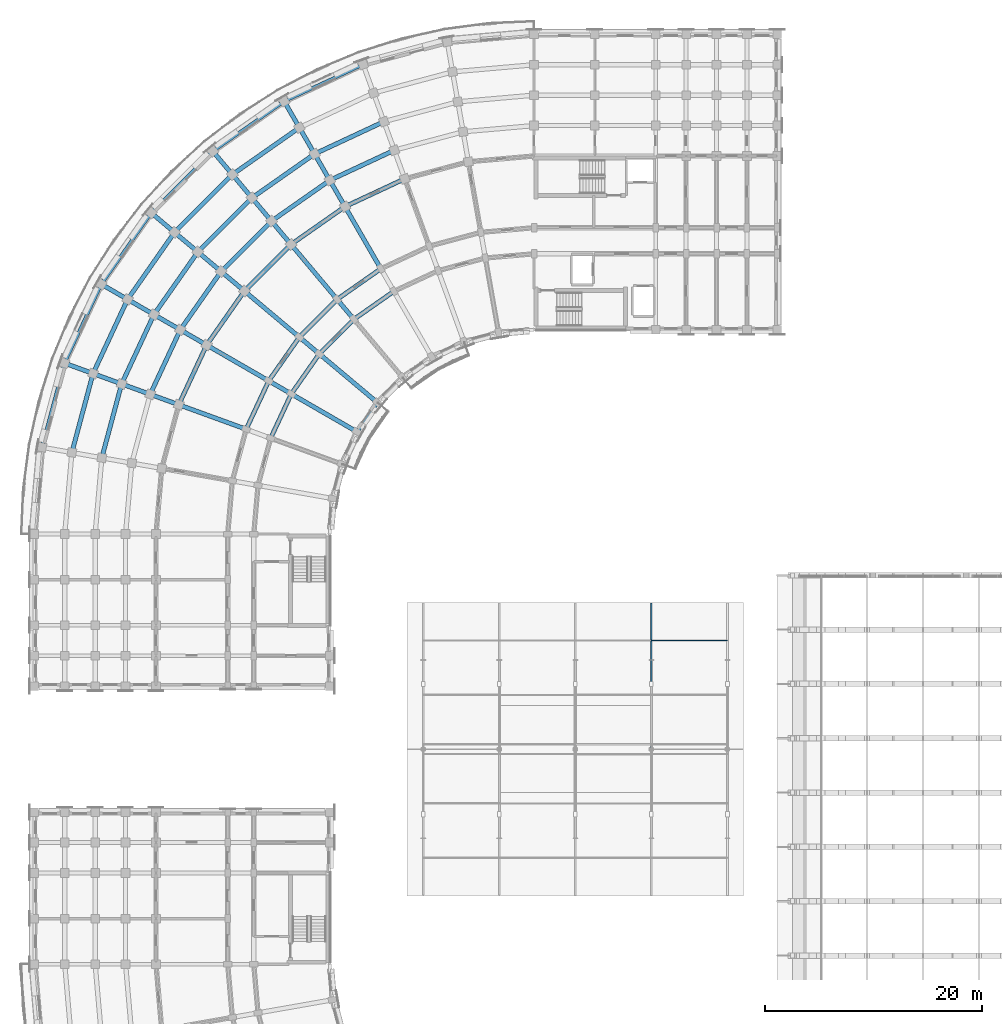
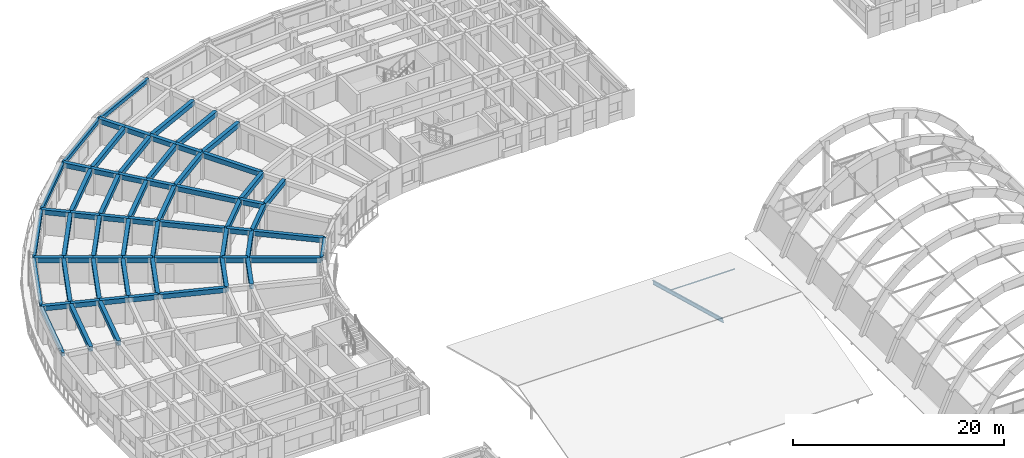
# One storey, part 18 of 76: 67 beams, 1 member.
"""IFC4 building model written with IfcOpenShell, lengths in metres."""

from ifc_helpers import new_model, si_unit, direction, frame, origin, origin_2d, place, context, subcontext, project, spatial, rectangle, hollow_rectangle, i_section, extrude, material, material_profile, profile_set, type_object, element, save


model = new_model("IFC4")

# Units and contexts
model_context = context("Model", 3, precision=1e-05, world=origin(), true_north=direction((0.0, 1.0)))
body_context = subcontext(model_context, "Body", "Model", "MODEL_VIEW")
ifc_project = project(units=[si_unit("LENGTHUNIT", "METRE"), si_unit("AREAUNIT", "SQUARE_METRE"), si_unit("VOLUMEUNIT", "CUBIC_METRE"), si_unit("PLANEANGLEUNIT", "RADIAN"), si_unit("MASSUNIT", "GRAM", prefix="KILO")], contexts=[model_context])

# Site, building, storey
site_placement = place(None, origin())
site = spatial("IfcSite", under=ifc_project, at=site_placement, CompositionType="ELEMENT")
building_placement = place(site_placement, origin())
building = spatial("IfcBuilding", under=site, at=building_placement, Name="Kiranvali Square Residences", CompositionType="ELEMENT")
storey_placement = place(building_placement, frame((0.0, 0.0, 8.699951171875)))
storey = spatial("IfcBuildingStorey", under=building, at=storey_placement, Name="L02", CompositionType="ELEMENT", Elevation=8.699951171875)

# Beams
ifc_material_1 = material(Name="Concrete M45 (45 MPa)", Category="concrete")
ifc_material_profile_1 = material_profile(ifc_material_1, rectangle(XDim=0.39990234375, YDim=0.550048828125, at=origin_2d()), Name="RC 400x550")
ifc_profile_set_1 = profile_set([ifc_material_profile_1], Name="Concrete M45 (45 MPa)")
beam_type_1 = type_object("IfcBeamType", Name="BM-M45-400x550", PredefinedType="BEAM", material=ifc_profile_set_1)
beam_1_placement = place(storey_placement, frame((36.297607421875, 120.501220703125, 2.655029296875), z_axis=(-0.906312656069, -0.42260781991, 0.0), x_axis=(0.42260781991, -0.906312656069, 0.0)))
element("IfcBeam", 1, at=beam_1_placement, inside=storey, type_object=beam_type_1, Name="L02 beam BM-A-L02-C02-R3", PredefinedType="BEAM", context=body_context, shape_type="SweptSolid", body=[
    extrude(rectangle(XDim=0.39990234375, YDim=0.550048828125, at=origin_2d()), origin(), (0.0, 0.0, 1.0), 6.06591796875),
])
beam_2_placement = place(storey_placement, frame((35.340087890625, 123.13232421875, 2.655029296875), z_axis=(-0.906318225223, -0.422595876255, 0.0), x_axis=(0.422595876255, -0.906318225223, 0.0)))
element("IfcBeam", 2, at=beam_2_placement, inside=storey, type_object=beam_type_1, Name="L02 beam BM-A-L02-C02-R4", PredefinedType="BEAM", context=body_context, shape_type="SweptSolid", body=[
    extrude(rectangle(XDim=0.39990234375, YDim=0.550048828125, at=origin_2d()), origin(), (0.0, 0.0, 1.0), 6.55419921875),
])
beam_3_placement = place(storey_placement, frame((34.38232421875, 125.763671875, 2.655029296875), z_axis=(-0.906297360311, -0.422640621205, 0.0), x_axis=(0.422640621205, -0.906297360311, 0.0)))
element("IfcBeam", 3, at=beam_3_placement, inside=storey, type_object=beam_type_1, Name="L02 beam BM-A-L02-C02-R5", PredefinedType="BEAM", context=body_context, shape_type="SweptSolid", body=[
    extrude(rectangle(XDim=0.39990234375, YDim=0.550048828125, at=origin_2d()), origin(), (0.0, 0.0, 1.0), 7.042236328125),
])
beam_4_placement = place(storey_placement, frame((35.300048828125, 110.1435546875, 2.655029296875), z_axis=(-0.819155404658, -0.573571637217, 0.0), x_axis=(0.573571637217, -0.819155404658, 0.0)))
element("IfcBeam", 4, at=beam_4_placement, inside=storey, type_object=beam_type_1, Name="L02 beam BM-A-L02-C03-R1", PredefinedType="BEAM", context=body_context, shape_type="SweptSolid", body=[
    extrude(rectangle(XDim=0.39990234375, YDim=0.550048828125, at=origin_2d()), origin(), (0.0, 0.0, 1.0), 4.497314453125),
])
beam_5_placement = place(storey_placement, frame((34.10009765625, 112.221923828125, 2.655029296875), z_axis=(-0.819140911474, -0.573592335331, 0.0), x_axis=(0.573592335331, -0.819140911474, 0.0)))
element("IfcBeam", 5, at=beam_5_placement, inside=storey, type_object=beam_type_1, Name="L02 beam BM-A-L02-C03-R2", PredefinedType="BEAM", context=body_context, shape_type="SweptSolid", body=[
    extrude(rectangle(XDim=0.39990234375, YDim=0.550048828125, at=origin_2d()), origin(), (0.0, 0.0, 1.0), 4.915771484375),
])
beam_6_placement = place(storey_placement, frame((30.800048828125, 117.937744140625, 2.655029296875), z_axis=(-0.81913926159, -0.573594691504, 0.0), x_axis=(0.573594691504, -0.81913926159, 0.0)))
element("IfcBeam", 6, at=beam_6_placement, inside=storey, type_object=beam_type_1, Name="L02 beam BM-A-L02-C03-R3", PredefinedType="BEAM", context=body_context, shape_type="SweptSolid", body=[
    extrude(rectangle(XDim=0.39990234375, YDim=0.550048828125, at=origin_2d()), origin(), (0.0, 0.0, 1.0), 6.066162109375),
])
beam_7_placement = place(storey_placement, frame((29.39990234375, 120.362548828125, 2.655029296875), z_axis=(-0.819144409176, -0.573587340268, 0.0), x_axis=(0.573587340268, -0.819144409176, 0.0)))
element("IfcBeam", 7, at=beam_7_placement, inside=storey, type_object=beam_type_1, Name="L02 beam BM-A-L02-C03-R4", PredefinedType="BEAM", context=body_context, shape_type="SweptSolid", body=[
    extrude(rectangle(XDim=0.39990234375, YDim=0.550048828125, at=origin_2d()), origin(), (0.0, 0.0, 1.0), 6.553955078125),
])
beam_8_placement = place(storey_placement, frame((28.0, 122.787353515625, 2.655029296875), z_axis=(-0.819160249246, -0.57356471828, 0.0), x_axis=(0.57356471828, -0.819160249246, 0.0)))
element("IfcBeam", 8, at=beam_8_placement, inside=storey, type_object=beam_type_1, Name="L02 beam BM-A-L02-C03-R5", PredefinedType="BEAM", context=body_context, shape_type="SweptSolid", body=[
    extrude(rectangle(XDim=0.39990234375, YDim=0.550048828125, at=origin_2d()), origin(), (0.0, 0.0, 1.0), 7.0419921875),
])
beam_9_placement = place(storey_placement, frame((26.60009765625, 125.21240234375, 2.655029296875), z_axis=(-0.819143569597, -0.573588539275, 0.0), x_axis=(0.573588539275, -0.819143569597, 0.0)))
element("IfcBeam", 9, at=beam_9_placement, inside=storey, type_object=beam_type_1, Name="L02 beam BM-A-L02-C03-R6", PredefinedType="BEAM", context=body_context, shape_type="SweptSolid", body=[
    extrude(rectangle(XDim=0.39990234375, YDim=0.550048828125, at=origin_2d()), origin(), (0.0, 0.0, 1.0), 7.5302734375),
])
beam_10_placement = place(storey_placement, frame((31.615966796875, 107.56396484375, 2.655029296875), z_axis=(-0.707106781187, -0.707106781187, 0.0), x_axis=(0.707106781187, -0.707106781187, 0.0)))
element("IfcBeam", 10, at=beam_10_placement, inside=storey, type_object=beam_type_1, Name="L02 beam BM-A-L02-C04-R1", PredefinedType="BEAM", context=body_context, shape_type="SweptSolid", body=[
    extrude(rectangle(XDim=0.39990234375, YDim=0.550048828125, at=origin_2d()), origin(), (0.0, 0.0, 1.0), 4.4970703125),
])
beam_11_placement = place(storey_placement, frame((30.073486328125, 109.40234375, 2.655029296875), z_axis=(-0.707106781187, -0.707106781187, 0.0), x_axis=(0.707106781187, -0.707106781187, 0.0)))
element("IfcBeam", 11, at=beam_11_placement, inside=storey, type_object=beam_type_1, Name="L02 beam BM-A-L02-C04-R2", PredefinedType="BEAM", context=body_context, shape_type="SweptSolid", body=[
    extrude(rectangle(XDim=0.39990234375, YDim=0.550048828125, at=origin_2d()), origin(), (0.0, 0.0, 1.0), 4.91552734375),
])
beam_12_placement = place(storey_placement, frame((25.8310546875, 114.458251953125, 2.655029296875), z_axis=(-0.707106781187, -0.707106781187, 0.0), x_axis=(0.707106781187, -0.707106781187, 0.0)))
element("IfcBeam", 12, at=beam_12_placement, inside=storey, type_object=beam_type_1, Name="L02 beam BM-A-L02-C04-R3", PredefinedType="BEAM", context=body_context, shape_type="SweptSolid", body=[
    extrude(rectangle(XDim=0.39990234375, YDim=0.550048828125, at=origin_2d()), origin(), (0.0, 0.0, 1.0), 6.06591796875),
])
beam_13_placement = place(storey_placement, frame((24.03125, 116.603271484375, 2.655029296875), z_axis=(-0.707106781187, -0.707106781187, 0.0), x_axis=(0.707106781187, -0.707106781187, 0.0)))
element("IfcBeam", 13, at=beam_13_placement, inside=storey, type_object=beam_type_1, Name="L02 beam BM-A-L02-C04-R4", PredefinedType="BEAM", context=body_context, shape_type="SweptSolid", body=[
    extrude(rectangle(XDim=0.39990234375, YDim=0.550048828125, at=origin_2d()), origin(), (0.0, 0.0, 1.0), 6.55419921875),
])
beam_14_placement = place(storey_placement, frame((22.2314453125, 118.748291015625, 2.655029296875), z_axis=(-0.707106781187, -0.707106781187, 0.0), x_axis=(0.707106781187, -0.707106781187, 0.0)))
element("IfcBeam", 14, at=beam_14_placement, inside=storey, type_object=beam_type_1, Name="L02 beam BM-A-L02-C04-R5", PredefinedType="BEAM", context=body_context, shape_type="SweptSolid", body=[
    extrude(rectangle(XDim=0.39990234375, YDim=0.550048828125, at=origin_2d()), origin(), (0.0, 0.0, 1.0), 7.04248046875),
])
beam_15_placement = place(storey_placement, frame((20.431640625, 120.89306640625, 2.655029296875), z_axis=(-0.707106781187, -0.707106781187, 0.0), x_axis=(0.707106781187, -0.707106781187, 0.0)))
element("IfcBeam", 15, at=beam_15_placement, inside=storey, type_object=beam_type_1, Name="L02 beam BM-A-L02-C04-R6", PredefinedType="BEAM", context=body_context, shape_type="SweptSolid", body=[
    extrude(rectangle(XDim=0.39990234375, YDim=0.550048828125, at=origin_2d()), origin(), (0.0, 0.0, 1.0), 7.5302734375),
])
beam_16_placement = place(storey_placement, frame((28.43603515625, 104.384033203125, 2.655029296875), z_axis=(-0.573571637217, -0.819155404658, 0.0), x_axis=(0.819155404658, -0.573571637217, 0.0)))
element("IfcBeam", 16, at=beam_16_placement, inside=storey, type_object=beam_type_1, Name="L02 beam BM-A-L02-C05-R1", PredefinedType="BEAM", context=body_context, shape_type="SweptSolid", body=[
    extrude(rectangle(XDim=0.39990234375, YDim=0.550048828125, at=origin_2d()), origin(), (0.0, 0.0, 1.0), 4.497314453125),
])
beam_17_placement = place(storey_placement, frame((26.59765625, 105.926513671875, 2.655029296875), z_axis=(-0.573592335331, -0.819140911474, 0.0), x_axis=(0.819140911474, -0.573592335331, 0.0)))
element("IfcBeam", 17, at=beam_17_placement, inside=storey, type_object=beam_type_1, Name="L02 beam BM-A-L02-C05-R2", PredefinedType="BEAM", context=body_context, shape_type="SweptSolid", body=[
    extrude(rectangle(XDim=0.39990234375, YDim=0.550048828125, at=origin_2d()), origin(), (0.0, 0.0, 1.0), 4.915771484375),
])
beam_18_placement = place(storey_placement, frame((21.541748046875, 110.1689453125, 2.655029296875), z_axis=(-0.573594691504, -0.81913926159, 0.0), x_axis=(0.81913926159, -0.573594691504, 0.0)))
element("IfcBeam", 18, at=beam_18_placement, inside=storey, type_object=beam_type_1, Name="L02 beam BM-A-L02-C05-R3", PredefinedType="BEAM", context=body_context, shape_type="SweptSolid", body=[
    extrude(rectangle(XDim=0.39990234375, YDim=0.550048828125, at=origin_2d()), origin(), (0.0, 0.0, 1.0), 6.066162109375),
])
beam_19_placement = place(storey_placement, frame((19.396728515625, 111.96875, 2.655029296875), z_axis=(-0.573587340268, -0.819144409176, 0.0), x_axis=(0.819144409176, -0.573587340268, 0.0)))
element("IfcBeam", 19, at=beam_19_placement, inside=storey, type_object=beam_type_1, Name="L02 beam BM-A-L02-C05-R4", PredefinedType="BEAM", context=body_context, shape_type="SweptSolid", body=[
    extrude(rectangle(XDim=0.39990234375, YDim=0.550048828125, at=origin_2d()), origin(), (0.0, 0.0, 1.0), 6.553955078125),
])
beam_20_placement = place(storey_placement, frame((17.251708984375, 113.7685546875, 2.655029296875), z_axis=(-0.57356471828, -0.819160249246, 0.0), x_axis=(0.819160249246, -0.57356471828, 0.0)))
element("IfcBeam", 20, at=beam_20_placement, inside=storey, type_object=beam_type_1, Name="L02 beam BM-A-L02-C05-R5", PredefinedType="BEAM", context=body_context, shape_type="SweptSolid", body=[
    extrude(rectangle(XDim=0.39990234375, YDim=0.550048828125, at=origin_2d()), origin(), (0.0, 0.0, 1.0), 7.0419921875),
])
beam_21_placement = place(storey_placement, frame((15.10693359375, 115.568359375, 2.655029296875), z_axis=(-0.573588539275, -0.819143569597, 0.0), x_axis=(0.819143569597, -0.573588539275, 0.0)))
element("IfcBeam", 21, at=beam_21_placement, inside=storey, type_object=beam_type_1, Name="L02 beam BM-A-L02-C05-R6", PredefinedType="BEAM", context=body_context, shape_type="SweptSolid", body=[
    extrude(rectangle(XDim=0.39990234375, YDim=0.550048828125, at=origin_2d()), origin(), (0.0, 0.0, 1.0), 7.5302734375),
])
beam_22_placement = place(storey_placement, frame((25.8564453125, 100.699951171875, 2.655029296875), z_axis=(-0.422617978463, -0.906307919131, 0.0), x_axis=(0.906307919131, -0.422617978463, 0.0)))
element("IfcBeam", 22, at=beam_22_placement, inside=storey, type_object=beam_type_1, Name="L02 beam BM-A-L02-C06-R1", PredefinedType="BEAM", context=body_context, shape_type="SweptSolid", body=[
    extrude(rectangle(XDim=0.39990234375, YDim=0.550048828125, at=origin_2d()), origin(), (0.0, 0.0, 1.0), 4.497314453125),
])
beam_23_placement = place(storey_placement, frame((23.778076171875, 101.89990234375, 2.655029296875), z_axis=(-0.422629854778, -0.906302381024, 0.0), x_axis=(0.906302381024, -0.422629854778, 0.0)))
element("IfcBeam", 23, at=beam_23_placement, inside=storey, type_object=beam_type_1, Name="L02 beam BM-A-L02-C06-R2", PredefinedType="BEAM", context=body_context, shape_type="SweptSolid", body=[
    extrude(rectangle(XDim=0.39990234375, YDim=0.550048828125, at=origin_2d()), origin(), (0.0, 0.0, 1.0), 4.915283203125),
])
beam_24_placement = place(storey_placement, frame((18.062255859375, 105.199951171875, 2.655029296875), z_axis=(-0.42260781991, -0.906312656069, 0.0), x_axis=(0.906312656069, -0.42260781991, 0.0)))
element("IfcBeam", 24, at=beam_24_placement, inside=storey, type_object=beam_type_1, Name="L02 beam BM-A-L02-C06-R3", PredefinedType="BEAM", context=body_context, shape_type="SweptSolid", body=[
    extrude(rectangle(XDim=0.39990234375, YDim=0.550048828125, at=origin_2d()), origin(), (0.0, 0.0, 1.0), 6.06591796875),
])
beam_25_placement = place(storey_placement, frame((15.637451171875, 106.60009765625, 2.655029296875), z_axis=(-0.422595876255, -0.906318225223, 0.0), x_axis=(0.906318225223, -0.422595876255, 0.0)))
element("IfcBeam", 25, at=beam_25_placement, inside=storey, type_object=beam_type_1, Name="L02 beam BM-A-L02-C06-R4", PredefinedType="BEAM", context=body_context, shape_type="SweptSolid", body=[
    extrude(rectangle(XDim=0.39990234375, YDim=0.550048828125, at=origin_2d()), origin(), (0.0, 0.0, 1.0), 6.55419921875),
])
beam_26_placement = place(storey_placement, frame((13.212646484375, 108.0, 2.655029296875), z_axis=(-0.422640621205, -0.906297360311, 0.0), x_axis=(0.906297360311, -0.422640621205, 0.0)))
element("IfcBeam", 26, at=beam_26_placement, inside=storey, type_object=beam_type_1, Name="L02 beam BM-A-L02-C06-R5", PredefinedType="BEAM", context=body_context, shape_type="SweptSolid", body=[
    extrude(rectangle(XDim=0.39990234375, YDim=0.550048828125, at=origin_2d()), origin(), (0.0, 0.0, 1.0), 7.042236328125),
])
beam_27_placement = place(storey_placement, frame((10.78759765625, 109.39990234375, 2.655029296875), z_axis=(-0.422613886933, -0.90630982703, 0.0), x_axis=(0.90630982703, -0.422613886933, 0.0)))
element("IfcBeam", 27, at=beam_27_placement, inside=storey, type_object=beam_type_1, Name="L02 beam BM-A-L02-C06-R6", PredefinedType="BEAM", context=body_context, shape_type="SweptSolid", body=[
    extrude(rectangle(XDim=0.39990234375, YDim=0.550048828125, at=origin_2d()), origin(), (0.0, 0.0, 1.0), 7.5302734375),
])
beam_28_placement = place(storey_placement, frame((10.236328125, 101.61767578125, 2.655029296875), z_axis=(-0.258799624492, -0.965931029817, 0.0), x_axis=(0.965931029817, -0.258799624492, 0.0)))
element("IfcBeam", 28, at=beam_28_placement, inside=storey, type_object=beam_type_1, Name="L02 beam BM-A-L02-C07-R5", PredefinedType="BEAM", context=body_context, shape_type="SweptSolid", body=[
    extrude(rectangle(XDim=0.39990234375, YDim=0.550048828125, at=origin_2d()), origin(), (0.0, 0.0, 1.0), 7.042236328125),
])
beam_29_placement = place(storey_placement, frame((7.605224609375, 102.5751953125, 2.655029296875), z_axis=(-0.258818733833, -0.965925909693, 0.0), x_axis=(0.965925909693, -0.258818733833, 0.0)))
element("IfcBeam", 29, at=beam_29_placement, inside=storey, type_object=beam_type_1, Name="L02 beam BM-A-L02-C07-R6", PredefinedType="BEAM", context=body_context, shape_type="SweptSolid", body=[
    extrude(rectangle(XDim=0.39990234375, YDim=0.550048828125, at=origin_2d()), origin(), (0.0, 0.0, 1.0), 7.5302734375),
])
beam_30_placement = place(storey_placement, frame((34.10009765625, 112.221923828125, 2.655029296875), z_axis=(-0.500002094529, 0.866024194504, 0.0), x_axis=(-0.866024194504, -0.500002094529, 0.0)))
element("IfcBeam", 30, at=beam_30_placement, inside=storey, type_object=beam_type_1, Name="L02 beam BM-A-L02-RAD03-23", PredefinedType="BEAM", context=body_context, shape_type="SweptSolid", body=[
    extrude(rectangle(XDim=0.39990234375, YDim=0.550048828125, at=origin_2d()), origin(), (0.0, 0.0, 1.0), 6.60009765625),
])
beam_31_placement = place(storey_placement, frame((30.800048828125, 117.937744140625, 2.655029296875), z_axis=(-0.500049511043, 0.865996816683, 0.0), x_axis=(-0.865996816683, -0.500049511043, 0.0)))
element("IfcBeam", 31, at=beam_31_placement, inside=storey, type_object=beam_type_1, Name="L02 beam BM-A-L02-RAD03-34", PredefinedType="BEAM", context=body_context, shape_type="SweptSolid", body=[
    extrude(rectangle(XDim=0.39990234375, YDim=0.550048828125, at=origin_2d()), origin(), (0.0, 0.0, 1.0), 2.800048828125),
])
beam_32_placement = place(storey_placement, frame((29.39990234375, 120.362548828125, 2.655029296875), z_axis=(-0.49998411664, 0.866034573852, 0.0), x_axis=(-0.866034573852, -0.49998411664, 0.0)))
element("IfcBeam", 32, at=beam_32_placement, inside=storey, type_object=beam_type_1, Name="L02 beam BM-A-L02-RAD03-45", PredefinedType="BEAM", context=body_context, shape_type="SweptSolid", body=[
    extrude(rectangle(XDim=0.39990234375, YDim=0.550048828125, at=origin_2d()), origin(), (0.0, 0.0, 1.0), 2.7998046875),
])
for number, where, z_axis, x_axis, name in (
    (33, (28.0, 122.787353515625, 2.655029296875), (-0.49994636267, 0.866056369097, 0.0), (-0.866056369097, -0.49994636267, 0.0), "L02 beam BM-A-L02-RAD03-56"),
    (34, (26.60009765625, 125.21240234375, 2.655029296875), (-0.500049511043, 0.865996816683, 0.0), (-0.865996816683, -0.500049511043, 0.0), "L02 beam BM-A-L02-RAD03-67"),
):
    element("IfcBeam", number, at=place(storey_placement, frame(where, z_axis=z_axis, x_axis=x_axis)), inside=storey, type_object=beam_type_1, Name=name, PredefinedType="BEAM", context=body_context, shape_type="SweptSolid", body=[
        extrude(rectangle(XDim=0.39990234375, YDim=0.550048828125, at=origin_2d()), origin(), (0.0, 0.0, 1.0), 2.800048828125),
    ])
beam_33_placement = place(storey_placement, frame((31.615966796875, 107.56396484375, 2.655029296875), z_axis=(-0.642762521781, 0.766065493671, 0.0), x_axis=(-0.766065493671, -0.642762521781, 0.0)))
element("IfcBeam", 35, at=beam_33_placement, inside=storey, type_object=beam_type_1, Name="L02 beam BM-A-L02-RAD04-12", PredefinedType="BEAM", context=body_context, shape_type="SweptSolid", body=[
    extrude(rectangle(XDim=0.39990234375, YDim=0.550048828125, at=origin_2d()), origin(), (0.0, 0.0, 1.0), 2.399658203125),
])
beam_34_placement = place(storey_placement, frame((30.073486328125, 109.40234375, 2.655029296875), z_axis=(-0.642789470807, 0.766042881449, 0.0), x_axis=(-0.766042881449, -0.642789470807, 0.0)))
element("IfcBeam", 36, at=beam_34_placement, inside=storey, type_object=beam_type_1, Name="L02 beam BM-A-L02-RAD04-23", PredefinedType="BEAM", context=body_context, shape_type="SweptSolid", body=[
    extrude(rectangle(XDim=0.39990234375, YDim=0.550048828125, at=origin_2d()), origin(), (0.0, 0.0, 1.0), 6.60009765625),
])
for number, where, z_axis, x_axis, name in (
    (37, (25.8310546875, 114.458251953125, 2.655029296875), (-0.642770757628, 0.766058583359, 0.0), (-0.766058583359, -0.642770757628, 0.0), "L02 beam BM-A-L02-RAD04-34"),
    (38, (24.03125, 116.603271484375, 2.655029296875), (-0.642770757628, 0.766058583359, 0.0), (-0.766058583359, -0.642770757628, 0.0), "L02 beam BM-A-L02-RAD04-45"),
):
    element("IfcBeam", number, at=place(storey_placement, frame(where, z_axis=z_axis, x_axis=x_axis)), inside=storey, type_object=beam_type_1, Name=name, PredefinedType="BEAM", context=body_context, shape_type="SweptSolid", body=[
        extrude(rectangle(XDim=0.39990234375, YDim=0.550048828125, at=origin_2d()), origin(), (0.0, 0.0, 1.0), 2.800048828125),
    ])
beam_35_placement = place(storey_placement, frame((22.2314453125, 118.748291015625, 2.655029296875), z_axis=(-0.642813692253, 0.76602255649, 0.0), x_axis=(-0.76602255649, -0.642813692253, 0.0)))
element("IfcBeam", 39, at=beam_35_placement, inside=storey, type_object=beam_type_1, Name="L02 beam BM-A-L02-RAD04-56", PredefinedType="BEAM", context=body_context, shape_type="SweptSolid", body=[
    extrude(rectangle(XDim=0.39990234375, YDim=0.550048828125, at=origin_2d()), origin(), (0.0, 0.0, 1.0), 2.7998046875),
])
beam_36_placement = place(storey_placement, frame((20.431640625, 120.89306640625, 2.655029296875), z_axis=(-0.642770757628, 0.766058583359, 0.0), x_axis=(-0.766058583359, -0.642770757628, 0.0)))
element("IfcBeam", 40, at=beam_36_placement, inside=storey, type_object=beam_type_1, Name="L02 beam BM-A-L02-RAD04-67", PredefinedType="BEAM", context=body_context, shape_type="SweptSolid", body=[
    extrude(rectangle(XDim=0.39990234375, YDim=0.550048828125, at=origin_2d()), origin(), (0.0, 0.0, 1.0), 2.800048828125),
])
beam_37_placement = place(storey_placement, frame((33.79833984375, 99.884521484375, 2.655029296875), z_axis=(-0.766044173478, 0.642787931032, 0.0), x_axis=(-0.642787931032, -0.766044173478, 0.0)))
element("IfcBeam", 41, at=beam_37_placement, inside=storey, type_object=beam_type_1, Name="L02 beam BM-A-L02-RAD05-01", PredefinedType="BEAM", context=body_context, shape_type="SweptSolid", body=[
    extrude(rectangle(XDim=0.39990234375, YDim=0.550048828125, at=origin_2d()), origin(), (0.0, 0.0, 1.0), 7.0),
])
beam_38_placement = place(storey_placement, frame((28.43603515625, 104.384033203125, 2.655029296875), z_axis=(-0.766065493671, 0.642762521781, 0.0), x_axis=(-0.642762521781, -0.766065493671, 0.0)))
element("IfcBeam", 42, at=beam_38_placement, inside=storey, type_object=beam_type_1, Name="L02 beam BM-A-L02-RAD05-12", PredefinedType="BEAM", context=body_context, shape_type="SweptSolid", body=[
    extrude(rectangle(XDim=0.39990234375, YDim=0.550048828125, at=origin_2d()), origin(), (0.0, 0.0, 1.0), 2.399658203125),
])
beam_39_placement = place(storey_placement, frame((26.59765625, 105.926513671875, 2.655029296875), z_axis=(-0.766042881449, 0.642789470807, 0.0), x_axis=(-0.642789470807, -0.766042881449, 0.0)))
element("IfcBeam", 43, at=beam_39_placement, inside=storey, type_object=beam_type_1, Name="L02 beam BM-A-L02-RAD05-23", PredefinedType="BEAM", context=body_context, shape_type="SweptSolid", body=[
    extrude(rectangle(XDim=0.39990234375, YDim=0.550048828125, at=origin_2d()), origin(), (0.0, 0.0, 1.0), 6.60009765625),
])
for number, where, z_axis, x_axis, name in (
    (44, (21.541748046875, 110.1689453125, 2.655029296875), (-0.766058583359, 0.642770757628, 0.0), (-0.642770757628, -0.766058583359, 0.0), "L02 beam BM-A-L02-RAD05-34"),
    (45, (19.396728515625, 111.96875, 2.655029296875), (-0.766058583359, 0.642770757628, 0.0), (-0.642770757628, -0.766058583359, 0.0), "L02 beam BM-A-L02-RAD05-45"),
):
    element("IfcBeam", number, at=place(storey_placement, frame(where, z_axis=z_axis, x_axis=x_axis)), inside=storey, type_object=beam_type_1, Name=name, PredefinedType="BEAM", context=body_context, shape_type="SweptSolid", body=[
        extrude(rectangle(XDim=0.39990234375, YDim=0.550048828125, at=origin_2d()), origin(), (0.0, 0.0, 1.0), 2.800048828125),
    ])
beam_40_placement = place(storey_placement, frame((17.251708984375, 113.7685546875, 2.655029296875), z_axis=(-0.76602255649, 0.642813692253, 0.0), x_axis=(-0.642813692253, -0.76602255649, 0.0)))
element("IfcBeam", 46, at=beam_40_placement, inside=storey, type_object=beam_type_1, Name="L02 beam BM-A-L02-RAD05-56", PredefinedType="BEAM", context=body_context, shape_type="SweptSolid", body=[
    extrude(rectangle(XDim=0.39990234375, YDim=0.550048828125, at=origin_2d()), origin(), (0.0, 0.0, 1.0), 2.7998046875),
])
beam_41_placement = place(storey_placement, frame((15.10693359375, 115.568359375, 2.655029296875), z_axis=(-0.766058583359, 0.642770757628, 0.0), x_axis=(-0.642770757628, -0.766058583359, 0.0)))
element("IfcBeam", 47, at=beam_41_placement, inside=storey, type_object=beam_type_1, Name="L02 beam BM-A-L02-RAD05-67", PredefinedType="BEAM", context=body_context, shape_type="SweptSolid", body=[
    extrude(rectangle(XDim=0.39990234375, YDim=0.550048828125, at=origin_2d()), origin(), (0.0, 0.0, 1.0), 2.800048828125),
])
beam_42_placement = place(storey_placement, frame((31.918701171875, 97.199951171875, 2.655029296875), z_axis=(-0.866028190633, 0.499995173006, 0.0), x_axis=(-0.499995173006, -0.866028190633, 0.0)))
element("IfcBeam", 48, at=beam_42_placement, inside=storey, type_object=beam_type_1, Name="L02 beam BM-A-L02-RAD06-01", PredefinedType="BEAM", context=body_context, shape_type="SweptSolid", body=[
    extrude(rectangle(XDim=0.39990234375, YDim=0.550048828125, at=origin_2d()), origin(), (0.0, 0.0, 1.0), 7.0),
])
beam_43_placement = place(storey_placement, frame((25.8564453125, 100.699951171875, 2.655029296875), z_axis=(-0.866024647952, 0.500001309137, 0.0), x_axis=(-0.500001309137, -0.866024647952, 0.0)))
element("IfcBeam", 49, at=beam_43_placement, inside=storey, type_object=beam_type_1, Name="L02 beam BM-A-L02-RAD06-12", PredefinedType="BEAM", context=body_context, shape_type="SweptSolid", body=[
    extrude(rectangle(XDim=0.39990234375, YDim=0.550048828125, at=origin_2d()), origin(), (0.0, 0.0, 1.0), 2.39990234375),
])
beam_44_placement = place(storey_placement, frame((23.778076171875, 101.89990234375, 2.655029296875), z_axis=(-0.866024194504, 0.500002094529, 0.0), x_axis=(-0.500002094529, -0.866024194504, 0.0)))
element("IfcBeam", 50, at=beam_44_placement, inside=storey, type_object=beam_type_1, Name="L02 beam BM-A-L02-RAD06-23", PredefinedType="BEAM", context=body_context, shape_type="SweptSolid", body=[
    extrude(rectangle(XDim=0.39990234375, YDim=0.550048828125, at=origin_2d()), origin(), (0.0, 0.0, 1.0), 6.60009765625),
])
beam_45_placement = place(storey_placement, frame((18.062255859375, 105.199951171875, 2.655029296875), z_axis=(-0.865996816683, 0.500049511043, 0.0), x_axis=(-0.500049511043, -0.865996816683, 0.0)))
element("IfcBeam", 51, at=beam_45_placement, inside=storey, type_object=beam_type_1, Name="L02 beam BM-A-L02-RAD06-34", PredefinedType="BEAM", context=body_context, shape_type="SweptSolid", body=[
    extrude(rectangle(XDim=0.39990234375, YDim=0.550048828125, at=origin_2d()), origin(), (0.0, 0.0, 1.0), 2.800048828125),
])
beam_46_placement = place(storey_placement, frame((15.637451171875, 106.60009765625, 2.655029296875), z_axis=(-0.866034573852, 0.49998411664, 0.0), x_axis=(-0.49998411664, -0.866034573852, 0.0)))
element("IfcBeam", 52, at=beam_46_placement, inside=storey, type_object=beam_type_1, Name="L02 beam BM-A-L02-RAD06-45", PredefinedType="BEAM", context=body_context, shape_type="SweptSolid", body=[
    extrude(rectangle(XDim=0.39990234375, YDim=0.550048828125, at=origin_2d()), origin(), (0.0, 0.0, 1.0), 2.7998046875),
])
for number, where, z_axis, x_axis, name in (
    (53, (13.212646484375, 108.0, 2.655029296875), (-0.866056369097, 0.49994636267, 0.0), (-0.49994636267, -0.866056369097, 0.0), "L02 beam BM-A-L02-RAD06-56"),
    (54, (10.78759765625, 109.39990234375, 2.655029296875), (-0.865996816683, 0.500049511043, 0.0), (-0.500049511043, -0.865996816683, 0.0), "L02 beam BM-A-L02-RAD06-67"),
):
    element("IfcBeam", number, at=place(storey_placement, frame(where, z_axis=z_axis, x_axis=x_axis)), inside=storey, type_object=beam_type_1, Name=name, PredefinedType="BEAM", context=body_context, shape_type="SweptSolid", body=[
        extrude(rectangle(XDim=0.39990234375, YDim=0.550048828125, at=origin_2d()), origin(), (0.0, 0.0, 1.0), 2.800048828125),
    ])
beam_47_placement = place(storey_placement, frame((21.70068359375, 97.445068359375, 2.655029296875), z_axis=(-0.939691858249, 0.342022238372, 0.0), x_axis=(-0.342022238372, -0.939691858249, 0.0)))
element("IfcBeam", 55, at=beam_47_placement, inside=storey, type_object=beam_type_1, Name="L02 beam BM-A-L02-RAD07-23", PredefinedType="BEAM", context=body_context, shape_type="SweptSolid", body=[
    extrude(rectangle(XDim=0.39990234375, YDim=0.550048828125, at=origin_2d()), origin(), (0.0, 0.0, 1.0), 6.599853515625),
])
beam_48_placement = place(storey_placement, frame((15.498779296875, 99.702392578125, 2.655029296875), z_axis=(-0.93970683422, 0.341981089711, 0.0), x_axis=(-0.341981089711, -0.93970683422, 0.0)))
element("IfcBeam", 56, at=beam_48_placement, inside=storey, type_object=beam_type_1, Name="L02 beam BM-A-L02-RAD07-34", PredefinedType="BEAM", context=body_context, shape_type="SweptSolid", body=[
    extrude(rectangle(XDim=0.39990234375, YDim=0.550048828125, at=origin_2d()), origin(), (0.0, 0.0, 1.0), 2.7998046875),
])
beam_49_placement = place(storey_placement, frame((12.86767578125, 100.659912109375, 2.655029296875), z_axis=(-0.939689011208, 0.342030060398, 0.0), x_axis=(-0.342030060398, -0.939689011208, 0.0)))
element("IfcBeam", 57, at=beam_49_placement, inside=storey, type_object=beam_type_1, Name="L02 beam BM-A-L02-RAD07-45", PredefinedType="BEAM", context=body_context, shape_type="SweptSolid", body=[
    extrude(rectangle(XDim=0.39990234375, YDim=0.550048828125, at=origin_2d()), origin(), (0.0, 0.0, 1.0), 2.80029296875),
])
beam_50_placement = place(storey_placement, frame((10.236328125, 101.61767578125, 2.655029296875), z_axis=(-0.93970683422, 0.341981089711, 0.0), x_axis=(-0.341981089711, -0.93970683422, 0.0)))
element("IfcBeam", 58, at=beam_50_placement, inside=storey, type_object=beam_type_1, Name="L02 beam BM-A-L02-RAD07-56", PredefinedType="BEAM", context=body_context, shape_type="SweptSolid", body=[
    extrude(rectangle(XDim=0.39990234375, YDim=0.550048828125, at=origin_2d()), origin(), (0.0, 0.0, 1.0), 2.7998046875),
])
beam_51_placement = place(storey_placement, frame((7.605224609375, 102.5751953125, 2.655029296875), z_axis=(-0.939678810556, 0.342058084236, 0.0), x_axis=(-0.342058084236, -0.939678810556, 0.0)))
element("IfcBeam", 59, at=beam_51_placement, inside=storey, type_object=beam_type_1, Name="L02 beam BM-A-L02-RAD07-67", PredefinedType="BEAM", context=body_context, shape_type="SweptSolid", body=[
    extrude(rectangle(XDim=0.39990234375, YDim=0.550048828125, at=origin_2d()), origin(), (0.0, 0.0, 1.0), 2.800048828125),
])

# Member
ifc_material_2 = material(Name="Structural steel E350", Category="steel")
ifc_material_profile_2 = material_profile(ifc_material_2, hollow_rectangle(XDim=0.06103515625, YDim=0.1220703125, WallThickness=0.00439453125, at=origin_2d()), Name="RHS 122x61x4.5")
ifc_profile_set_2 = profile_set([ifc_material_profile_2], Name="Structural steel E350")
member_type = type_object("IfcMemberType", Name="MEM-RHS122", PredefinedType="PURLIN", material=ifc_profile_set_2)
member_placement = place(storey_placement, frame((59.0, 78.0, 1.266845703125), z_axis=(1.0, 0.0, 0.0), x_axis=(0.0, 1.0, 0.0)))
element("IfcMember", 60, at=member_placement, inside=storey, type_object=member_type, Name="Nursery Pavilion roof purlin 6.4", PredefinedType="PURLIN", context=body_context, shape_type="SweptSolid", body=[
    extrude(hollow_rectangle(XDim=0.06103515625, YDim=0.1220703125, WallThickness=0.00439453125, at=origin_2d()), origin(), (0.0, 0.0, 1.0), 7.0),
])

# Beams
ifc_material_profile_3 = material_profile(ifc_material_2, i_section(OverallWidth=0.14990234375, OverallDepth=0.449951171875, WebThickness=0.009521484375, FlangeThickness=0.017333984375, at=origin_2d()), Name="ISMB 450")
ifc_profile_set_3 = profile_set([ifc_material_profile_3], Name="Structural steel E350")
beam_type_2 = type_object("IfcBeamType", Name="SBM-ISMB450", PredefinedType="BEAM", material=ifc_profile_set_3)
beam_52_placement = place(storey_placement, frame((59.0, 81.39990234375, 0.125), z_axis=(0.0, -0.964943860611, 0.262456369459), x_axis=(1.0, 0.0, 0.0)))
element("IfcBeam", 61, at=beam_52_placement, inside=storey, type_object=beam_type_2, Name="Nursery Pavilion steel roof rafter N-4", PredefinedType="BEAM", context=body_context, shape_type="SweptSolid", body=[
    extrude(i_section(OverallWidth=0.14990234375, OverallDepth=0.449951171875, WebThickness=0.009521484375, FlangeThickness=0.017333984375, at=origin_2d()), origin(), (0.0, 0.0, 1.0), 13.782958984375),
])
ifc_material_3 = material(Name="Concrete M40 (40 MPa)", Category="concrete")
ifc_material_profile_4 = material_profile(ifc_material_3, rectangle(XDim=0.300048828125, YDim=0.449951171875, at=origin_2d()), Name="RC 300x450")
ifc_profile_set_4 = profile_set([ifc_material_profile_4], Name="Concrete M40 (40 MPa)")
beam_type_3 = type_object("IfcBeamType", Name="SPN-M40-300x450", PredefinedType="SPANDREL", material=ifc_profile_set_4)
for number, where, z_axis, x_axis, name in (
    (62, (32.467041015625, 131.02587890625, 2.705078125), (-0.906309113636, -0.422615416827, 0.0), (0.422615416827, -0.906309113636, 0.0), "L02 beam BM-A-L02-C02-R7"),
    (63, (25.199951171875, 127.63720703125, 2.705078125), (-0.819147515001, -0.573582904791, 0.0), (0.573582904791, -0.819147515001, 0.0), "L02 beam BM-A-L02-C03-R7"),
):
    element("IfcBeam", number, at=place(storey_placement, frame(where, z_axis=z_axis, x_axis=x_axis)), inside=storey, type_object=beam_type_3, Name=name, PredefinedType="SPANDREL", context=body_context, shape_type="SweptSolid", body=[
        extrude(rectangle(XDim=0.300048828125, YDim=0.449951171875, at=origin_2d()), origin(), (0.0, 0.0, 1.0), 8.018310546875),
    ])
beam_53_placement = place(storey_placement, frame((18.6318359375, 123.0380859375, 2.705078125), z_axis=(-0.707106781187, -0.707106781187, 0.0), x_axis=(0.707106781187, -0.707106781187, 0.0)))
element("IfcBeam", 64, at=beam_53_placement, inside=storey, type_object=beam_type_3, Name="L02 beam BM-A-L02-C04-R7", PredefinedType="SPANDREL", context=body_context, shape_type="SweptSolid", body=[
    extrude(rectangle(XDim=0.300048828125, YDim=0.449951171875, at=origin_2d()), origin(), (0.0, 0.0, 1.0), 8.0185546875),
])
beam_54_placement = place(storey_placement, frame((33.79833984375, 99.884521484375, 2.705078125), z_axis=(-0.573552337269, -0.81916891812, 0.0), x_axis=(0.81916891812, -0.573552337269, 0.0)))
element("IfcBeam", 65, at=beam_54_placement, inside=storey, type_object=beam_type_3, Name="L02 beam BM-A-L02-C05-R0", PredefinedType="SPANDREL", context=body_context, shape_type="SweptSolid", body=[
    extrude(rectangle(XDim=0.300048828125, YDim=0.449951171875, at=origin_2d()), origin(), (0.0, 0.0, 1.0), 3.277099609375),
])
for number, where, z_axis, x_axis, name in (
    (66, (12.9619140625, 117.3681640625, 2.705078125), (-0.573582904791, -0.819147515001, 0.0), (0.819147515001, -0.573582904791, 0.0), "L02 beam BM-A-L02-C05-R7"),
    (67, (8.36279296875, 110.800048828125, 2.705078125), (-0.422615416827, -0.906309113636, 0.0), (0.906309113636, -0.422615416827, 0.0), "L02 beam BM-A-L02-C06-R7"),
    (68, (4.97412109375, 103.532958984375, 2.705078125), (-0.258807108475, -0.96592902462, 0.0), (0.96592902462, -0.258807108475, 0.0), "L02 beam BM-A-L02-C07-R7"),
):
    element("IfcBeam", number, at=place(storey_placement, frame(where, z_axis=z_axis, x_axis=x_axis)), inside=storey, type_object=beam_type_3, Name=name, PredefinedType="SPANDREL", context=body_context, shape_type="SweptSolid", body=[
        extrude(rectangle(XDim=0.300048828125, YDim=0.449951171875, at=origin_2d()), origin(), (0.0, 0.0, 1.0), 8.018310546875),
    ])

save(model, "model.ifc")
